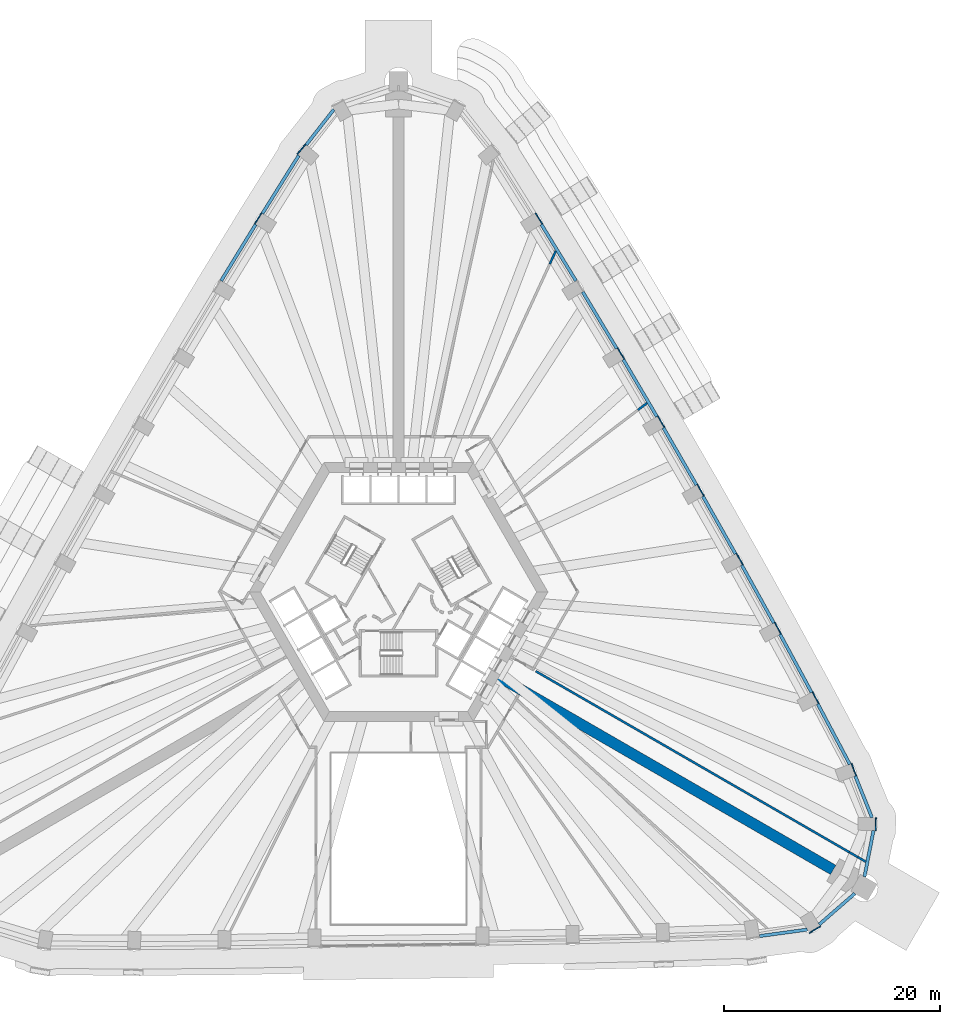
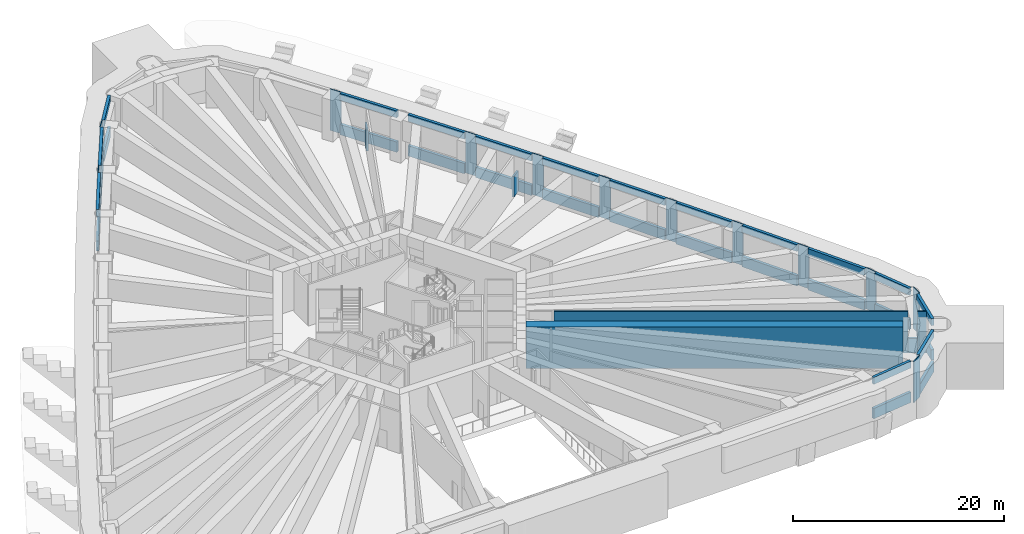
# One storey, part 10 of 21: 48 walls.
"""IFC4 building model written with IfcOpenShell, lengths in metres."""

from ifc_helpers import new_model, si_unit, direction, frame, frame_2d, origin, place, context, subcontext, project, spatial, rectangle, extrude, material, layer, layer_set, type_object, element, save


model = new_model("IFC4")

# Units and contexts
model_context = context("Model", 3, precision=1e-05, world=origin(), true_north=direction((0.0, 1.0)))
body_context = subcontext(model_context, "Body", "Model", "MODEL_VIEW")
ifc_project = project(units=[si_unit("LENGTHUNIT", "METRE"), si_unit("AREAUNIT", "SQUARE_METRE"), si_unit("VOLUMEUNIT", "CUBIC_METRE"), si_unit("PLANEANGLEUNIT", "RADIAN"), si_unit("MASSUNIT", "GRAM", prefix="KILO")], contexts=[model_context])

# Site, building, storey
site_placement = place(None, origin())
site = spatial("IfcSite", under=ifc_project, at=site_placement, CompositionType="ELEMENT")
building_placement = place(site_placement, origin())
building = spatial("IfcBuilding", under=site, at=building_placement, Name="Entoto Arch Interchange Tower", CompositionType="ELEMENT")
storey_placement = place(building_placement, frame((0.0, 0.0, 81.199951171875)))
storey = spatial("IfcBuildingStorey", under=building, at=storey_placement, Name="L17", CompositionType="ELEMENT", Elevation=81.199951171875)

# Walls
ifc_material_1 = material(Name="Concrete C60/75", Category="concrete")
ifc_layer_1 = layer(ifc_material_1, 1.0)
ifc_layer_set_1 = layer_set([ifc_layer_1], Name="Concrete C60/75")
wall_type_1 = type_object("IfcWallType", Name="Outrigger wall 1000 C60/75", PredefinedType="SHEAR", material=ifc_layer_set_1)
wall_1_placement = place(storey_placement, frame((9.31005859375, -5.375, 0.0), z_axis=(0.0, 0.0, 1.0), x_axis=(0.866022967049, -0.500004220526, 0.0)))
element("IfcWall", 1, at=wall_1_placement, inside=storey, type_object=wall_type_1, Name="Outrigger wall SE L17", PredefinedType="SHEAR", context=body_context, shape_type="SweptSolid", body=[
    extrude(rectangle(XDim=35.801513671875, YDim=1.0, at=frame_2d((17.90087890625, 0.0))), origin(), (0.0, 0.0, 1.0), 4.800048828125),
])
ifc_material_2 = material(Name="Gypsum board partition on steel studs", Category="steel")
ifc_layer_2 = layer(ifc_material_2, 0.199951171875)
ifc_layer_set_2 = layer_set([ifc_layer_2], Name="Gypsum board partition on steel studs")
wall_type_2 = type_object("IfcWallType", Name="PARTITION 200", PredefinedType="PARTITIONING", material=ifc_layer_set_2)
wall_2_placement = place(storey_placement, frame((12.72900390625, -4.84912109375, 0.0), z_axis=(0.0, 0.0, 1.0), x_axis=(0.866039668463, -0.499975292037, 0.0)))
element("IfcWall", 2, at=wall_2_placement, inside=storey, type_object=wall_type_2, Name="wall:L17:p048", PredefinedType="PARTITIONING", context=body_context, shape_type="SweptSolid", body=[
    extrude(rectangle(XDim=33.573486328125, YDim=0.199951171875, at=frame_2d((16.78662109375, 0.0))), origin(), (0.0, 0.0, 1.0), 4.800048828125),
])
wall_3_placement = place(storey_placement, frame((23.049072265625, 20.02197265625, 0.0), z_axis=(0.0, 0.0, 1.0), x_axis=(-0.796091779044, -0.605175907764, 0.0)))
element("IfcWall", 3, at=wall_3_placement, inside=storey, type_object=wall_type_2, Name="wall:L17:p058", PredefinedType="PARTITIONING", context=body_context, shape_type="SweptSolid", body=[
    extrude(rectangle(XDim=1.069091796875, YDim=0.199951171875, at=frame_2d((0.53466796875, 0.0))), origin(), (0.0, 0.0, 1.0), 2.400146484375),
])
wall_4_placement = place(storey_placement, frame((41.804931640625, -21.635009765625, 0.0), z_axis=(0.0, 0.0, 1.0), x_axis=(0.865731280935, -0.500509090038, 0.0)))
element("IfcWall", 4, at=wall_4_placement, inside=storey, type_object=wall_type_2, Name="wall:L17:p048", PredefinedType="PARTITIONING", context=body_context, shape_type="SweptSolid", body=[
    extrude(rectangle(XDim=0.93115234375, YDim=0.199951171875, at=frame_2d((0.465576171875, 0.0))), origin(), (0.0, 0.0, 1.0), 1.699951171875),
])
wall_5_placement = place(storey_placement, frame((42.611083984375, -22.10107421875, 0.0), z_axis=(0.0, 0.0, 1.0), x_axis=(0.866083720475, -0.499898978922, 0.0)))
element("IfcWall", 5, at=wall_5_placement, inside=storey, type_object=wall_type_2, Name="wall:L17:p048", PredefinedType="PARTITIONING", context=body_context, shape_type="SweptSolid", body=[
    extrude(rectangle(XDim=0.838134765625, YDim=0.199951171875, at=frame_2d((0.4189453125, 0.0))), origin(), (0.0, 0.0, 1.0), 4.800048828125),
])
wall_6_placement = place(storey_placement, frame((14.028076171875, 32.9189453125, 0.0), z_axis=(0.0, 0.0, 1.0), x_axis=(0.418603457455, 0.908169117184, 0.0)))
element("IfcWall", 6, at=wall_6_placement, inside=storey, type_object=wall_type_2, Name="wall:L17:p059", PredefinedType="PARTITIONING", context=body_context, shape_type="SweptSolid", body=[
    extrude(rectangle(XDim=1.328125, YDim=0.199951171875, at=frame_2d((0.6640625, 0.0))), origin(), (0.0, 0.0, 1.0), 2.400146484375),
])
ifc_material_3 = material(Name="Board-marked precast concrete C50/60", Category="concrete")
ifc_layer_3 = layer(ifc_material_3, 0.10009765625)
ifc_layer_set_3 = layer_set([ifc_layer_3], Name="Board-marked precast concrete C50/60")
wall_type_3 = type_object("IfcWallType", Name="PRECAST FRAME WALL 100", PredefinedType="STANDARD", material=ifc_layer_set_3)
wall_7_placement = place(storey_placement, frame((42.44091796875, -14.5400390625, 0.0), z_axis=(0.0, 0.0, 1.0), x_axis=(-0.348268249601, 0.937394914814, 0.0)))
element("IfcWall", 7, at=wall_7_placement, inside=storey, type_object=wall_type_3, Name="Frame pier NE01 L17", PredefinedType="STANDARD", context=body_context, shape_type="SweptSolid", body=[
    extrude(rectangle(XDim=1.2001953125, YDim=0.10009765625, at=frame_2d((0.60009765625, 0.0))), origin(), (0.0, 0.0, 1.0), 4.800048828125),
])
wall_8_placement = place(storey_placement, frame((38.966064453125, -7.827880859375, 0.0), z_axis=(0.0, 0.0, 1.0), x_axis=(-0.469467784567, 0.882949601763, 0.0)))
element("IfcWall", 8, at=wall_8_placement, inside=storey, type_object=wall_type_3, Name="Frame pier NE02 L17", PredefinedType="STANDARD", context=body_context, shape_type="SweptSolid", body=[
    extrude(rectangle(XDim=1.19921875, YDim=0.10009765625, at=frame_2d((0.599609375, 0.0))), origin(), (0.0, 0.0, 1.0), 4.800048828125),
])
wall_9_placement = place(storey_placement, frame((35.47509765625, -1.37890625, 0.0), z_axis=(0.0, 0.0, 1.0), x_axis=(-0.478424520456, 0.878128679765, 0.0)))
element("IfcWall", 9, at=wall_9_placement, inside=storey, type_object=wall_type_3, Name="Frame pier NE03 L17", PredefinedType="STANDARD", context=body_context, shape_type="SweptSolid", body=[
    extrude(rectangle(XDim=1.2001953125, YDim=0.10009765625, at=frame_2d((0.60009765625, 0.0))), origin(), (0.0, 0.0, 1.0), 4.800048828125),
])
wall_10_placement = place(storey_placement, frame((31.926025390625, 5.0380859375, 0.0), z_axis=(0.0, 0.0, 1.0), x_axis=(-0.486817526853, 0.873503689488, 0.0)))
element("IfcWall", 10, at=wall_10_placement, inside=storey, type_object=wall_type_3, Name="Frame pier NE04 L17", PredefinedType="STANDARD", context=body_context, shape_type="SweptSolid", body=[
    extrude(rectangle(XDim=1.19970703125, YDim=0.10009765625, at=frame_2d((0.599853515625, 0.0))), origin(), (0.0, 0.0, 1.0), 4.800048828125),
])
wall_11_placement = place(storey_placement, frame((28.321044921875, 11.424072265625, 0.0), z_axis=(0.0, 0.0, 1.0), x_axis=(-0.495854054996, 0.868405870629, 0.0)))
element("IfcWall", 11, at=wall_11_placement, inside=storey, type_object=wall_type_3, Name="Frame pier NE05 L17", PredefinedType="STANDARD", context=body_context, shape_type="SweptSolid", body=[
    extrude(rectangle(XDim=1.199951171875, YDim=0.10009765625, at=frame_2d((0.60009765625, 0.0))), origin(), (0.0, 0.0, 1.0), 4.800048828125),
])
wall_12_placement = place(storey_placement, frame((24.658935546875, 17.778076171875, 0.0), z_axis=(0.0, 0.0, 1.0), x_axis=(-0.504313844903, 0.863520437418, 0.0)))
element("IfcWall", 12, at=wall_12_placement, inside=storey, type_object=wall_type_3, Name="Frame pier NE06 L17", PredefinedType="STANDARD", context=body_context, shape_type="SweptSolid", body=[
    extrude(rectangle(XDim=1.19970703125, YDim=0.10009765625, at=frame_2d((0.599853515625, 0.0))), origin(), (0.0, 0.0, 1.0), 4.800048828125),
])
wall_13_placement = place(storey_placement, frame((20.94189453125, 24.10009765625, 0.0), z_axis=(0.0, 0.0, 1.0), x_axis=(-0.513328378832, 0.858192271863, 0.0)))
element("IfcWall", 13, at=wall_13_placement, inside=storey, type_object=wall_type_3, Name="Frame pier NE07 L17", PredefinedType="STANDARD", context=body_context, shape_type="SweptSolid", body=[
    extrude(rectangle(XDim=1.199951171875, YDim=0.10009765625, at=frame_2d((0.60009765625, 0.0))), origin(), (0.0, 0.0, 1.0), 4.800048828125),
])
for number, where, z_axis, x_axis, name in (
    (14, (13.340087890625, 36.64404296875, 0.0), (0.0, 0.0, 1.0), (-0.530273374944, 0.847826720401, 0.0), "Frame pier NE09 L17"),
    (15, (-8.62890625, 44.02392578125, 0.0), (0.0, 0.0, 1.0), (-0.637859244555, -0.770152961518, 0.0), "Frame pier NW01 L17"),
    (16, (-12.7041015625, 37.660888671875, 0.0), (0.0, 0.0, 1.0), (-0.530273374944, -0.847826720401, 0.0), "Frame pier NW02 L17"),
):
    element("IfcWall", number, at=place(storey_placement, frame(where, z_axis=z_axis, x_axis=x_axis)), inside=storey, type_object=wall_type_3, Name=name, PredefinedType="STANDARD", context=body_context, shape_type="SweptSolid", body=[
        extrude(rectangle(XDim=1.199462890625, YDim=0.10009765625, at=frame_2d((0.599609375, 0.0))), origin(), (0.0, 0.0, 1.0), 4.800048828125),
    ])
wall_14_placement = place(storey_placement, frame((38.10498046875, -29.136962890625, 0.0), z_axis=(0.0, 0.0, 1.0), x_axis=(0.854771404281, 0.51900466898, 0.0)))
element("IfcWall", 17, at=wall_14_placement, inside=storey, type_object=wall_type_3, Name="Frame pier SE1 L17", PredefinedType="STANDARD", context=body_context, shape_type="SweptSolid", body=[
    extrude(rectangle(XDim=1.200439453125, YDim=0.10009765625, at=frame_2d((0.60009765625, 0.0))), origin(), (0.0, 0.0, 1.0), 4.800048828125),
])
wall_15_placement = place(storey_placement, frame((44.258056640625, -19.633056640625, 0.0), z_axis=(0.0, 0.0, 1.0), x_axis=(0.023188066684, 0.999731120634, 0.0)))
element("IfcWall", 18, at=wall_15_placement, inside=storey, type_object=wall_type_3, Name="Frame pier SE3 L17", PredefinedType="STANDARD", context=body_context, shape_type="SweptSolid", body=[
    extrude(rectangle(XDim=1.2001953125, YDim=0.10009765625, at=frame_2d((0.60009765625, 0.0))), origin(), (0.0, 0.0, 1.0), 4.800048828125),
])
ifc_layer_4 = layer(ifc_material_3, 0.300048828125)
ifc_layer_set_4 = layer_set([ifc_layer_4], Name="Board-marked precast concrete C50/60")
wall_type_4 = type_object("IfcWallType", Name="PRECAST FRAME WALL 300", PredefinedType="STANDARD", material=ifc_layer_set_4)
wall_16_placement = place(storey_placement, frame((33.47998046875, -29.41796875, 0.0), z_axis=(0.0, 0.0, 1.0), x_axis=(0.990894840534, 0.134638088972, 0.0)))
element("IfcWall", 19, at=wall_16_placement, inside=storey, type_object=wall_type_4, Name="Frame sill wall SE-01 L17", PredefinedType="STANDARD", context=body_context, shape_type="SweptSolid", body=[
    extrude(rectangle(XDim=4.4716796875, YDim=0.300048828125, at=frame_2d((2.23583984375, 0.0))), origin(), (0.0, 0.0, 1.0), 1.199951171875),
])
wall_17_placement = place(storey_placement, frame((33.47998046875, -29.41796875, 4.0), z_axis=(0.0, 0.0, 1.0), x_axis=(0.990894840534, 0.134638088972, 0.0)))
element("IfcWall", 20, at=wall_17_placement, inside=storey, type_object=wall_type_4, Name="Frame head wall SE-01 L17", PredefinedType="STANDARD", context=body_context, shape_type="SweptSolid", body=[
    extrude(rectangle(XDim=4.4716796875, YDim=0.300048828125, at=frame_2d((2.23583984375, 0.0))), origin(), (0.0, 0.0, 1.0), 0.800048828125),
])
wall_18_placement = place(storey_placement, frame((39.02294921875, -28.339111328125, 0.0), z_axis=(0.0, 0.0, 1.0), x_axis=(0.754384139839, 0.656433217897, 0.0)))
element("IfcWall", 21, at=wall_18_placement, inside=storey, type_object=wall_type_4, Name="Frame sill wall SE-02 L17", PredefinedType="STANDARD", context=body_context, shape_type="SweptSolid", body=[
    extrude(rectangle(XDim=4.369384765625, YDim=0.300048828125, at=frame_2d((2.1845703125, 0.0))), origin(), (0.0, 0.0, 1.0), 1.199951171875),
])
wall_19_placement = place(storey_placement, frame((39.02294921875, -28.339111328125, 4.0), z_axis=(0.0, 0.0, 1.0), x_axis=(0.754384139839, 0.656433217897, 0.0)))
element("IfcWall", 22, at=wall_19_placement, inside=storey, type_object=wall_type_4, Name="Frame head wall SE-02 L17", PredefinedType="STANDARD", context=body_context, shape_type="SweptSolid", body=[
    extrude(rectangle(XDim=4.369384765625, YDim=0.300048828125, at=frame_2d((2.1845703125, 0.0))), origin(), (0.0, 0.0, 1.0), 0.800048828125),
])
wall_20_placement = place(storey_placement, frame((43.218017578125, -23.9140625, 0.0), z_axis=(0.0, 0.0, 1.0), x_axis=(0.191384281913, 0.981515184109, 0.0)))
element("IfcWall", 23, at=wall_20_placement, inside=storey, type_object=wall_type_4, Name="Frame sill wall SE-03 L17", PredefinedType="STANDARD", context=body_context, shape_type="SweptSolid", body=[
    extrude(rectangle(XDim=4.367919921875, YDim=0.300048828125, at=frame_2d((2.18408203125, 0.0))), origin(), (0.0, 0.0, 1.0), 1.199951171875),
])
wall_21_placement = place(storey_placement, frame((43.218017578125, -23.9140625, 4.0), z_axis=(0.0, 0.0, 1.0), x_axis=(0.191384281913, 0.981515184109, 0.0)))
element("IfcWall", 24, at=wall_21_placement, inside=storey, type_object=wall_type_4, Name="Frame head wall SE-03 L17", PredefinedType="STANDARD", context=body_context, shape_type="SweptSolid", body=[
    extrude(rectangle(XDim=4.367919921875, YDim=0.300048828125, at=frame_2d((2.18408203125, 0.0))), origin(), (0.0, 0.0, 1.0), 0.800048828125),
])
wall_22_placement = place(storey_placement, frame((43.9150390625, -18.426025390625, 0.0), z_axis=(0.0, 0.0, 1.0), x_axis=(-0.373424226069, 0.92766068548, 0.0)))
element("IfcWall", 25, at=wall_22_placement, inside=storey, type_object=wall_type_4, Name="Frame sill wall SE-04 L17", PredefinedType="STANDARD", context=body_context, shape_type="SweptSolid", body=[
    extrude(rectangle(XDim=4.15869140625, YDim=0.300048828125, at=frame_2d((2.079345703125, 0.0))), origin(), (0.0, 0.0, 1.0), 1.199951171875),
])
wall_23_placement = place(storey_placement, frame((43.9150390625, -18.426025390625, 4.0), z_axis=(0.0, 0.0, 1.0), x_axis=(-0.373424226069, 0.92766068548, 0.0)))
element("IfcWall", 26, at=wall_23_placement, inside=storey, type_object=wall_type_4, Name="Frame head wall SE-04 L17", PredefinedType="STANDARD", context=body_context, shape_type="SweptSolid", body=[
    extrude(rectangle(XDim=4.15869140625, YDim=0.300048828125, at=frame_2d((2.079345703125, 0.0))), origin(), (0.0, 0.0, 1.0), 0.800048828125),
])
wall_24_placement = place(storey_placement, frame((41.85400390625, -13.47900390625, 0.0), z_axis=(0.0, 0.0, 1.0), x_axis=(-0.469082096551, 0.883154565575, 0.0)))
element("IfcWall", 27, at=wall_24_placement, inside=storey, type_object=wall_type_4, Name="Frame sill wall NE-01 L17", PredefinedType="STANDARD", context=body_context, shape_type="SweptSolid", body=[
    extrude(rectangle(XDim=6.346435546875, YDim=0.300048828125, at=frame_2d((3.17333984375, 0.0))), origin(), (0.0, 0.0, 1.0), 1.199951171875),
])
wall_25_placement = place(storey_placement, frame((41.85400390625, -13.47900390625, 4.0), z_axis=(0.0, 0.0, 1.0), x_axis=(-0.469082096551, 0.883154565575, 0.0)))
element("IfcWall", 28, at=wall_25_placement, inside=storey, type_object=wall_type_4, Name="Frame head wall NE-01 L17", PredefinedType="STANDARD", context=body_context, shape_type="SweptSolid", body=[
    extrude(rectangle(XDim=6.346435546875, YDim=0.300048828125, at=frame_2d((3.17333984375, 0.0))), origin(), (0.0, 0.0, 1.0), 0.800048828125),
])
wall_26_placement = place(storey_placement, frame((38.31103515625, -6.819091796875, 0.0), z_axis=(0.0, 0.0, 1.0), x_axis=(-0.476762519224, 0.879032138356, 0.0)))
element("IfcWall", 29, at=wall_26_placement, inside=storey, type_object=wall_type_4, Name="Frame sill wall NE-02 L17", PredefinedType="STANDARD", context=body_context, shape_type="SweptSolid", body=[
    extrude(rectangle(XDim=6.13525390625, YDim=0.300048828125, at=frame_2d((3.067626953125, 0.0))), origin(), (0.0, 0.0, 1.0), 1.199951171875),
])
wall_27_placement = place(storey_placement, frame((38.31103515625, -6.819091796875, 4.0), z_axis=(0.0, 0.0, 1.0), x_axis=(-0.476762519224, 0.879032138356, 0.0)))
element("IfcWall", 30, at=wall_27_placement, inside=storey, type_object=wall_type_4, Name="Frame head wall NE-02 L17", PredefinedType="STANDARD", context=body_context, shape_type="SweptSolid", body=[
    extrude(rectangle(XDim=6.13525390625, YDim=0.300048828125, at=frame_2d((3.067626953125, 0.0))), origin(), (0.0, 0.0, 1.0), 0.800048828125),
])
wall_28_placement = place(storey_placement, frame((34.81005859375, -0.3759765625, 0.0), z_axis=(0.0, 0.0, 1.0), x_axis=(-0.484720058863, 0.87466934583, 0.0)))
element("IfcWall", 31, at=wall_28_placement, inside=storey, type_object=wall_type_4, Name="Frame sill wall NE-03 L17", PredefinedType="STANDARD", context=body_context, shape_type="SweptSolid", body=[
    extrude(rectangle(XDim=6.1337890625, YDim=0.300048828125, at=frame_2d((3.06689453125, 0.0))), origin(), (0.0, 0.0, 1.0), 1.199951171875),
])
wall_29_placement = place(storey_placement, frame((34.81005859375, -0.3759765625, 4.0), z_axis=(0.0, 0.0, 1.0), x_axis=(-0.484720058863, 0.87466934583, 0.0)))
element("IfcWall", 32, at=wall_29_placement, inside=storey, type_object=wall_type_4, Name="Frame head wall NE-03 L17", PredefinedType="STANDARD", context=body_context, shape_type="SweptSolid", body=[
    extrude(rectangle(XDim=6.1337890625, YDim=0.300048828125, at=frame_2d((3.06689453125, 0.0))), origin(), (0.0, 0.0, 1.0), 0.800048828125),
])
wall_30_placement = place(storey_placement, frame((31.251953125, 6.033935546875, 0.0), z_axis=(0.0, 0.0, 1.0), x_axis=(-0.492268362752, 0.870443484112, 0.0)))
element("IfcWall", 33, at=wall_30_placement, inside=storey, type_object=wall_type_4, Name="Frame sill wall NE-04 L17", PredefinedType="STANDARD", context=body_context, shape_type="SweptSolid", body=[
    extrude(rectangle(XDim=6.135009765625, YDim=0.300048828125, at=frame_2d((3.0673828125, 0.0))), origin(), (0.0, 0.0, 1.0), 1.199951171875),
])
wall_31_placement = place(storey_placement, frame((31.251953125, 6.033935546875, 4.0), z_axis=(0.0, 0.0, 1.0), x_axis=(-0.492268362752, 0.870443484112, 0.0)))
element("IfcWall", 34, at=wall_31_placement, inside=storey, type_object=wall_type_4, Name="Frame head wall NE-04 L17", PredefinedType="STANDARD", context=body_context, shape_type="SweptSolid", body=[
    extrude(rectangle(XDim=6.135009765625, YDim=0.300048828125, at=frame_2d((3.0673828125, 0.0))), origin(), (0.0, 0.0, 1.0), 0.800048828125),
])
wall_32_placement = place(storey_placement, frame((27.636962890625, 12.4140625, 0.0), z_axis=(0.0, 0.0, 1.0), x_axis=(-0.499931451131, 0.866064976875, 0.0)))
element("IfcWall", 35, at=wall_32_placement, inside=storey, type_object=wall_type_4, Name="Frame sill wall NE-05 L17", PredefinedType="STANDARD", context=body_context, shape_type="SweptSolid", body=[
    extrude(rectangle(XDim=6.134521484375, YDim=0.300048828125, at=frame_2d((3.0673828125, 0.0))), origin(), (0.0, 0.0, 1.0), 1.199951171875),
])
wall_33_placement = place(storey_placement, frame((27.636962890625, 12.4140625, 4.0), z_axis=(0.0, 0.0, 1.0), x_axis=(-0.499931451131, 0.866064976875, 0.0)))
element("IfcWall", 36, at=wall_33_placement, inside=storey, type_object=wall_type_4, Name="Frame head wall NE-05 L17", PredefinedType="STANDARD", context=body_context, shape_type="SweptSolid", body=[
    extrude(rectangle(XDim=6.134521484375, YDim=0.300048828125, at=frame_2d((3.0673828125, 0.0))), origin(), (0.0, 0.0, 1.0), 0.800048828125),
])
wall_34_placement = place(storey_placement, frame((23.966064453125, 18.760986328125, 0.0), z_axis=(0.0, 0.0, 1.0), x_axis=(-0.507498222671, 0.86165280362, 0.0)))
element("IfcWall", 37, at=wall_34_placement, inside=storey, type_object=wall_type_4, Name="Frame sill wall NE-06 L17", PredefinedType="STANDARD", context=body_context, shape_type="SweptSolid", body=[
    extrude(rectangle(XDim=6.135986328125, YDim=0.300048828125, at=frame_2d((3.06787109375, 0.0))), origin(), (0.0, 0.0, 1.0), 1.199951171875),
])
wall_35_placement = place(storey_placement, frame((23.966064453125, 18.760986328125, 4.0), z_axis=(0.0, 0.0, 1.0), x_axis=(-0.507498222671, 0.86165280362, 0.0)))
element("IfcWall", 38, at=wall_35_placement, inside=storey, type_object=wall_type_4, Name="Frame head wall NE-06 L17", PredefinedType="STANDARD", context=body_context, shape_type="SweptSolid", body=[
    extrude(rectangle(XDim=6.135986328125, YDim=0.300048828125, at=frame_2d((3.06787109375, 0.0))), origin(), (0.0, 0.0, 1.0), 0.800048828125),
])
wall_36_placement = place(storey_placement, frame((20.239990234375, 25.076904296875, 0.0), z_axis=(0.0, 0.0, 1.0), x_axis=(-0.515291535196, 0.857014955386, 0.0)))
element("IfcWall", 39, at=wall_36_placement, inside=storey, type_object=wall_type_4, Name="Frame sill wall NE-07 L17", PredefinedType="STANDARD", context=body_context, shape_type="SweptSolid", body=[
    extrude(rectangle(XDim=6.13427734375, YDim=0.300048828125, at=frame_2d((3.067138671875, 0.0))), origin(), (0.0, 0.0, 1.0), 1.199951171875),
])
wall_37_placement = place(storey_placement, frame((20.239990234375, 25.076904296875, 4.0), z_axis=(0.0, 0.0, 1.0), x_axis=(-0.515291535196, 0.857014955386, 0.0)))
element("IfcWall", 40, at=wall_37_placement, inside=storey, type_object=wall_type_4, Name="Frame head wall NE-07 L17", PredefinedType="STANDARD", context=body_context, shape_type="SweptSolid", body=[
    extrude(rectangle(XDim=6.13427734375, YDim=0.300048828125, at=frame_2d((3.067138671875, 0.0))), origin(), (0.0, 0.0, 1.0), 0.800048828125),
])
wall_38_placement = place(storey_placement, frame((16.45703125, 31.35791015625, 0.0), z_axis=(0.0, 0.0, 1.0), x_axis=(-0.522658154315, 0.852542347176, 0.0)))
element("IfcWall", 41, at=wall_38_placement, inside=storey, type_object=wall_type_4, Name="Frame sill wall NE-08 L17", PredefinedType="STANDARD", context=body_context, shape_type="SweptSolid", body=[
    extrude(rectangle(XDim=6.135986328125, YDim=0.300048828125, at=frame_2d((3.06787109375, 0.0))), origin(), (0.0, 0.0, 1.0), 1.199951171875),
])
wall_39_placement = place(storey_placement, frame((16.45703125, 31.35791015625, 4.0), z_axis=(0.0, 0.0, 1.0), x_axis=(-0.522658154315, 0.852542347176, 0.0)))
element("IfcWall", 42, at=wall_39_placement, inside=storey, type_object=wall_type_4, Name="Frame head wall NE-08 L17", PredefinedType="STANDARD", context=body_context, shape_type="SweptSolid", body=[
    extrude(rectangle(XDim=6.135986328125, YDim=0.300048828125, at=frame_2d((3.06787109375, 0.0))), origin(), (0.0, 0.0, 1.0), 0.800048828125),
])
wall_40_placement = place(storey_placement, frame((-6.0009765625, 47.243896484375, 0.0), z_axis=(0.0, 0.0, 1.0), x_axis=(-0.616571010777, -0.787299300564, 0.0)))
element("IfcWall", 43, at=wall_40_placement, inside=storey, type_object=wall_type_4, Name="Frame sill wall N-04 L17", PredefinedType="STANDARD", context=body_context, shape_type="SweptSolid", body=[
    extrude(rectangle(XDim=4.158447265625, YDim=0.300048828125, at=frame_2d((2.0791015625, 0.0))), origin(), (0.0, 0.0, 1.0), 1.199951171875),
])
wall_41_placement = place(storey_placement, frame((-6.0009765625, 47.243896484375, 4.0), z_axis=(0.0, 0.0, 1.0), x_axis=(-0.616571010777, -0.787299300564, 0.0)))
element("IfcWall", 44, at=wall_41_placement, inside=storey, type_object=wall_type_4, Name="Frame head wall N-04 L17", PredefinedType="STANDARD", context=body_context, shape_type="SweptSolid", body=[
    extrude(rectangle(XDim=4.158447265625, YDim=0.300048828125, at=frame_2d((2.0791015625, 0.0))), origin(), (0.0, 0.0, 1.0), 0.800048828125),
])
wall_42_placement = place(storey_placement, frame((-9.25390625, 42.985107421875, 0.0), z_axis=(0.0, 0.0, 1.0), x_axis=(-0.530410515419, -0.847740930434, 0.0)))
element("IfcWall", 45, at=wall_42_placement, inside=storey, type_object=wall_type_4, Name="Frame sill wall NW-01 L17", PredefinedType="STANDARD", context=body_context, shape_type="SweptSolid", body=[
    extrude(rectangle(XDim=6.34423828125, YDim=0.300048828125, at=frame_2d((3.172119140625, 0.0))), origin(), (0.0, 0.0, 1.0), 1.199951171875),
])
wall_43_placement = place(storey_placement, frame((-9.25390625, 42.985107421875, 4.0), z_axis=(0.0, 0.0, 1.0), x_axis=(-0.530410515419, -0.847740930434, 0.0)))
element("IfcWall", 46, at=wall_43_placement, inside=storey, type_object=wall_type_4, Name="Frame head wall NW-01 L17", PredefinedType="STANDARD", context=body_context, shape_type="SweptSolid", body=[
    extrude(rectangle(XDim=6.34423828125, YDim=0.300048828125, at=frame_2d((3.172119140625, 0.0))), origin(), (0.0, 0.0, 1.0), 0.800048828125),
])
wall_44_placement = place(storey_placement, frame((-13.25, 36.589111328125, 0.0), z_axis=(0.0, 0.0, 1.0), x_axis=(-0.522658154315, -0.852542347176, 0.0)))
element("IfcWall", 47, at=wall_44_placement, inside=storey, type_object=wall_type_4, Name="Frame sill wall NW-02 L17", PredefinedType="STANDARD", context=body_context, shape_type="SweptSolid", body=[
    extrude(rectangle(XDim=6.135986328125, YDim=0.300048828125, at=frame_2d((3.06787109375, 0.0))), origin(), (0.0, 0.0, 1.0), 1.199951171875),
])
wall_45_placement = place(storey_placement, frame((-13.25, 36.589111328125, 4.0), z_axis=(0.0, 0.0, 1.0), x_axis=(-0.522658154315, -0.852542347176, 0.0)))
element("IfcWall", 48, at=wall_45_placement, inside=storey, type_object=wall_type_4, Name="Frame head wall NW-02 L17", PredefinedType="STANDARD", context=body_context, shape_type="SweptSolid", body=[
    extrude(rectangle(XDim=6.135986328125, YDim=0.300048828125, at=frame_2d((3.06787109375, 0.0))), origin(), (0.0, 0.0, 1.0), 0.800048828125),
])

save(model, "model.ifc")
